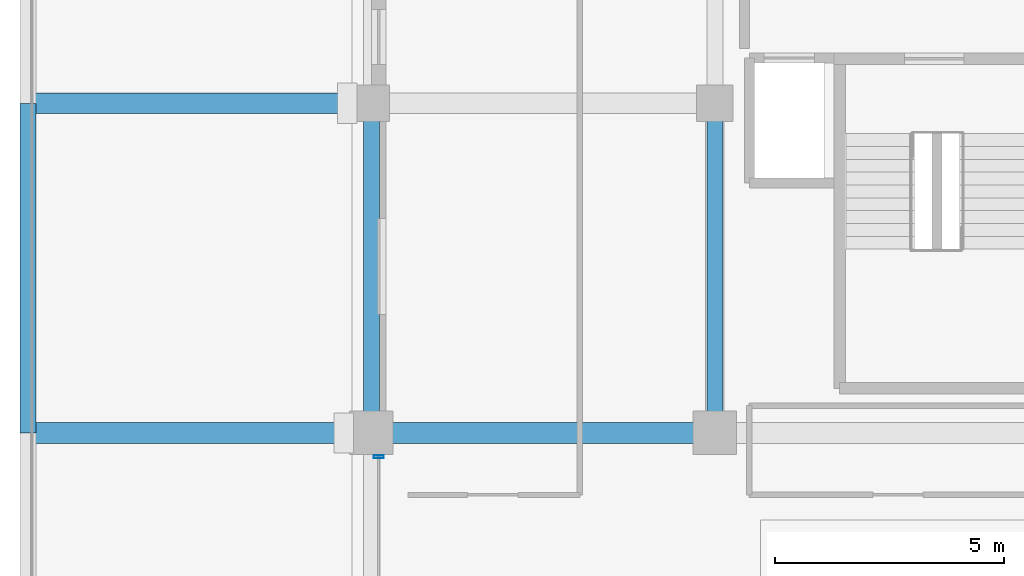
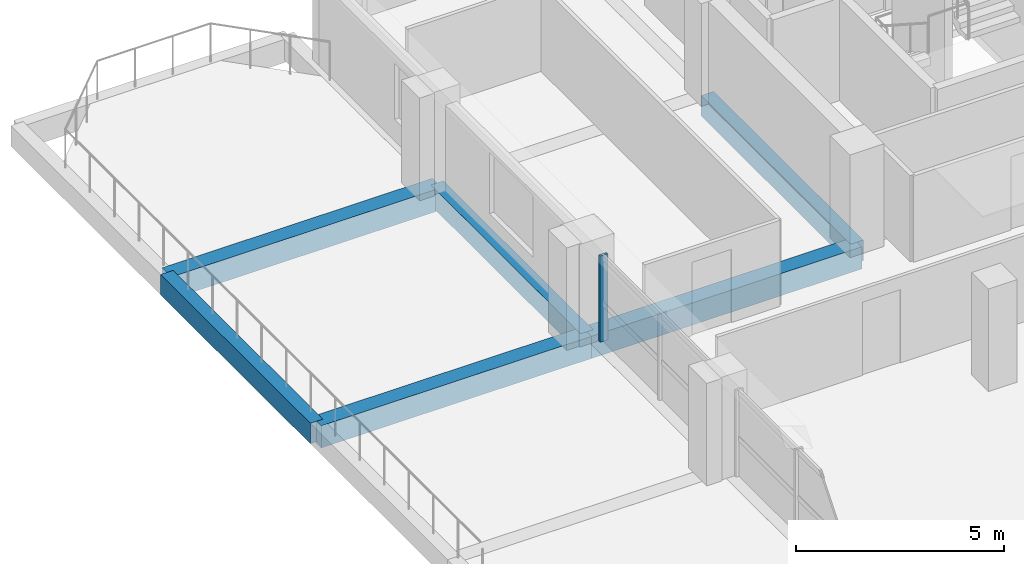
# One storey, part 10 of 22: 6 beams, 1 member, 1 element without a shape of its own.
"""IFC4 building model written with IfcOpenShell, lengths in metres."""

from ifc_helpers import new_model, si_unit, direction, frame, origin, origin_2d, place, context, subcontext, project, spatial, rectangle, hollow_rectangle, extrude, material, material_profile, profile_set, type_object, element, aggregate, save


model = new_model("IFC4")

# Units and contexts
model_context = context("Model", 3, precision=1e-05, world=origin(), true_north=direction((0.0, 1.0)))
body_context = subcontext(model_context, "Body", "Model", "MODEL_VIEW")
ifc_project = project(units=[si_unit("LENGTHUNIT", "METRE"), si_unit("AREAUNIT", "SQUARE_METRE"), si_unit("VOLUMEUNIT", "CUBIC_METRE"), si_unit("PLANEANGLEUNIT", "RADIAN"), si_unit("MASSUNIT", "GRAM", prefix="KILO")], contexts=[model_context])

# Site, building, storey
site_placement = place(None, origin())
site = spatial("IfcSite", under=ifc_project, at=site_placement, CompositionType="ELEMENT")
building_placement = place(site_placement, origin())
building = spatial("IfcBuilding", under=site, at=building_placement, Name="Akrevak Sports Hall", CompositionType="ELEMENT")
storey_placement = place(building_placement, frame((0.0, 0.0, 40.550048828125)))
storey = spatial("IfcBuildingStorey", under=building, at=storey_placement, Name="L09", CompositionType="ELEMENT", Elevation=40.550048828125)

# Curtain wall, member
ifc_material_1 = material(Name="Anodized Bronze Aluminium & Low-E Glass", Category="aluminium")
curtain_wall_type = type_object("IfcCurtainWallType", Name="ARC-CW-TWR-68x30", PredefinedType="NOTDEFINED", material=ifc_material_1)
curtain_wall_placement = place(storey_placement, origin())
curtain_wall = element("IfcCurtainWall", 1, at=curtain_wall_placement, inside=storey, type_object=curtain_wall_type, Name="Curtain Wall CW-L09-W30", PredefinedType="NOTDEFINED")
ifc_material_2 = material(Name="Anodized Bronze Aluminium", Category="aluminium")
ifc_material_profile_1 = material_profile(ifc_material_2, hollow_rectangle(XDim=0.06494140625, YDim=0.219970703125, WallThickness=0.00439453125, at=origin_2d()), Name="CWM 65x220", Category="aluminium")
ifc_profile_set_1 = profile_set([ifc_material_profile_1], Name="Anodized Bronze Aluminium")
member_type = type_object("IfcMemberType", Name="ARC-CWM-70x160", PredefinedType="MULLION", material=ifc_profile_set_1)
member_placement = place(storey_placement, frame((52.659912109375, 54.68505859375, 0.0), z_axis=(0.0, 0.0, 1.0), x_axis=(0.0, -1.0, 0.0)))
member = element("IfcMember", 2, at=member_placement, type_object=member_type, Name="Curtain Wall Mullion CW-L09-W30-M1", PredefinedType="MULLION", context=body_context, shape_type="SweptSolid", body=[
    extrude(hollow_rectangle(XDim=0.06494140625, YDim=0.219970703125, WallThickness=0.00439453125, at=origin_2d()), origin(), (0.0, 0.0, 1.0), 2.530029296875),
])
aggregate(curtain_wall, [member])

# Beams
ifc_material_3 = material(Name="Concrete C40/50", Category="concrete")
ifc_material_profile_2 = material_profile(ifc_material_3, rectangle(XDim=0.35009765625, YDim=0.60009765625, at=origin_2d()), Name="BM 350x600", Category="concrete")
ifc_profile_set_2 = profile_set([ifc_material_profile_2], Name="Concrete C40/50")
beam_type_1 = type_object("IfcBeamType", Name="STR-BM-RC350x600", PredefinedType="BEAM", material=ifc_profile_set_2)
for number, where, z_axis, x_axis, name in (
    (3, (45.0, 55.199951171875, -0.300048828125), (0.0, 1.0, 0.0), (-1.0, 0.0, 0.0), "Girder 7/I-J (L09)"),
    (4, (52.5, 55.199951171875, -0.300048828125), (0.0, 1.0, 0.0), (-1.0, 0.0, 0.0), "Girder 8/I-J (L09)"),
    (5, (60.0, 55.199951171875, -0.300048828125), (0.0, 1.0, 0.0), (-1.0, 0.0, 0.0), "Girder 9/I-J (L09)"),
):
    element("IfcBeam", number, at=place(storey_placement, frame(where, z_axis=z_axis, x_axis=x_axis)), inside=storey, type_object=beam_type_1, Name=name, PredefinedType="BEAM", context=body_context, shape_type="SweptSolid", body=[
        extrude(rectangle(XDim=0.35009765625, YDim=0.60009765625, at=origin_2d()), origin(), (0.0, 0.0, 1.0), 7.199951171875),
    ])
ifc_material_profile_3 = material_profile(ifc_material_3, rectangle(XDim=0.449951171875, YDim=0.64990234375, at=origin_2d()), Name="BM 450x650", Category="concrete")
ifc_profile_set_3 = profile_set([ifc_material_profile_3], Name="Concrete C40/50")
beam_type_2 = type_object("IfcBeamType", Name="STR-BM-RC450x650", PredefinedType="BEAM", material=ifc_profile_set_3)
for number, where, z_axis, x_axis, name in (
    (6, (45.0, 55.199951171875, -0.324951171875), (1.0, 0.0, 0.0), (0.0, 1.0, 0.0), "Girder I/7-8 (L09)"),
    (7, (52.5, 55.199951171875, -0.324951171875), (1.0, 0.0, 0.0), (0.0, 1.0, 0.0), "Girder I/8-9 (L09)"),
    (8, (45.0, 62.39990234375, -0.324951171875), (1.0, 0.0, 0.0), (0.0, 1.0, 0.0), "Girder J/7-8 (L09)"),
):
    element("IfcBeam", number, at=place(storey_placement, frame(where, z_axis=z_axis, x_axis=x_axis)), inside=storey, type_object=beam_type_2, Name=name, PredefinedType="BEAM", context=body_context, shape_type="SweptSolid", body=[
        extrude(rectangle(XDim=0.449951171875, YDim=0.64990234375, at=origin_2d()), origin(), (0.0, 0.0, 1.0), 7.5),
    ])

save(model, "model.ifc")
